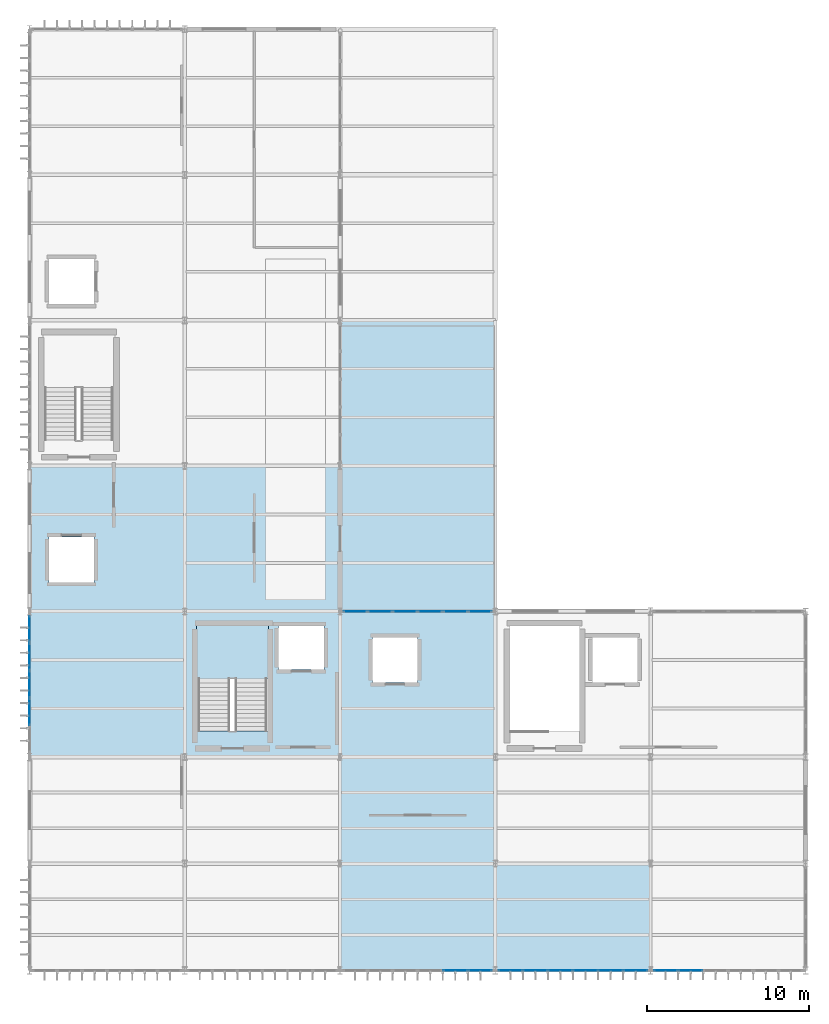
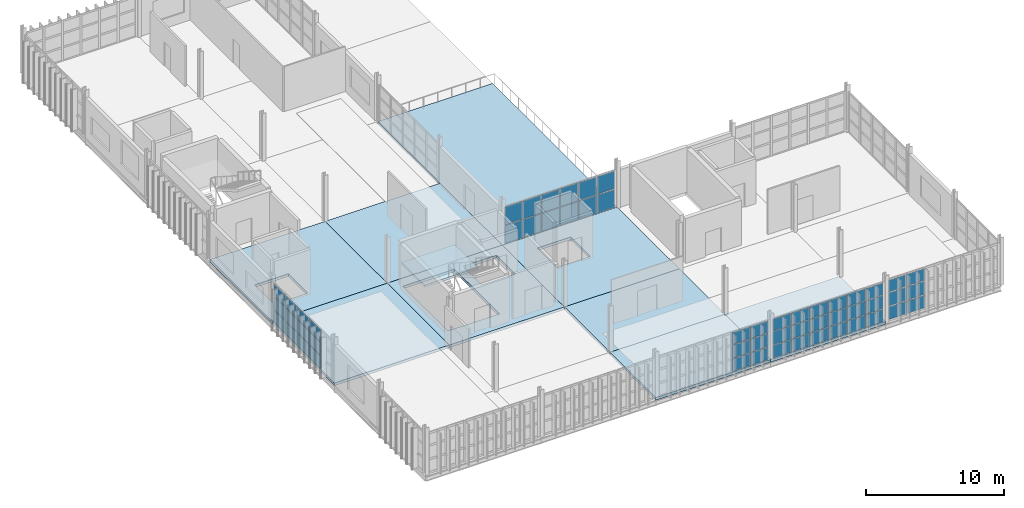
# One storey, part 15 of 38: 54 plates, 10 slabs, 6 elements without a shape of their own.
"""IFC4 building model written with IfcOpenShell, lengths in metres."""

from ifc_helpers import new_model, si_unit, direction, frame, origin, origin_2d, place, context, subcontext, project, spatial, polyline, rectangle, outline, extrude, material, layer, layer_set, type_object, element, aggregate, save


model = new_model("IFC4")

# Units and contexts
model_context = context("Model", 3, precision=1e-05, world=origin(), true_north=direction((0.0, 1.0)))
body_context = subcontext(model_context, "Body", "Model", "MODEL_VIEW")
ifc_project = project(units=[si_unit("LENGTHUNIT", "METRE"), si_unit("AREAUNIT", "SQUARE_METRE"), si_unit("VOLUMEUNIT", "CUBIC_METRE"), si_unit("PLANEANGLEUNIT", "RADIAN"), si_unit("MASSUNIT", "GRAM", prefix="KILO")], contexts=[model_context])

# Site, building, storey
site_placement = place(None, origin())
site = spatial("IfcSite", under=ifc_project, at=site_placement, CompositionType="ELEMENT")
building_placement = place(site_placement, origin())
building = spatial("IfcBuilding", under=site, at=building_placement, Name="Zarnetskaya Central Station", CompositionType="ELEMENT")
storey_placement = place(building_placement, frame((0.0, 0.0, 18.60009765625)))
storey = spatial("IfcBuildingStorey", under=building, at=storey_placement, Name="L04", CompositionType="ELEMENT", Elevation=18.60009765625)

# Curtain wall, plates
ifc_material_1 = material(Name="Low-E insulated glass", Category="glass")
ifc_layer_1 = layer(ifc_material_1, 0.16796875, Name="Low-E insulated glass", Category="glass")
ifc_layer_set_1 = layer_set([ifc_layer_1], Name="Low-E insulated glass")
curtain_wall_type_1 = type_object("IfcCurtainWallType", Name="CW-SYS-08", PredefinedType="USERDEFINED", material=ifc_layer_set_1)
curtain_wall_1_placement = place(storey_placement, origin())
curtain_wall_1 = element("IfcCurtainWall", 1, at=curtain_wall_1_placement, inside=storey, type_object=curtain_wall_type_1, Name="Curtain wall CW-L04-060", ObjectType="CURTAIN WALL", PredefinedType="USERDEFINED")
ifc_layer_2 = layer(ifc_material_1, 0.028076171875, Name="Low-E insulated glass", Category="glass")
ifc_layer_set_2 = layer_set([ifc_layer_2], Name="Low-E insulated glass")
plate_type_1 = type_object("IfcPlateType", Name="CW-PAN-28", PredefinedType="CURTAIN_PANEL", material=ifc_layer_set_2)
plate_1_placement = place(storey_placement, frame((27.85498046875, 0.0, 0.080078125), z_axis=(0.0, 0.0, 1.0), x_axis=(-1.0, 0.0, 0.0)))
plate_1 = element("IfcPlate", 2, at=plate_1_placement, type_object=plate_type_1, Name="CW-16 panel 1.1", PredefinedType="CURTAIN_PANEL", context=body_context, shape_type="SweptSolid", body=[
    extrude(rectangle(XDim=1.429931640625, YDim=0.028076171875, at=origin_2d()), origin(), (0.0, 0.0, 1.0), 1.090087890625),
])
plate_2_placement = place(storey_placement, frame((27.85498046875, 0.0, 1.25), z_axis=(0.0, 0.0, 1.0), x_axis=(-1.0, 0.0, 0.0)))
plate_2 = element("IfcPlate", 3, at=plate_2_placement, type_object=plate_type_1, Name="CW-16 panel 1.2", PredefinedType="CURTAIN_PANEL", context=body_context, shape_type="SweptSolid", body=[
    extrude(rectangle(XDim=1.429931640625, YDim=0.028076171875, at=origin_2d()), origin(), (0.0, 0.0, 1.0), 1.131103515625),
])
plate_3_placement = place(storey_placement, frame((27.85498046875, 0.0, 2.4609375), z_axis=(0.0, 0.0, 1.0), x_axis=(-1.0, 0.0, 0.0)))
plate_3 = element("IfcPlate", 4, at=plate_3_placement, type_object=plate_type_1, Name="CW-16 panel 1.3", PredefinedType="CURTAIN_PANEL", context=body_context, shape_type="SweptSolid", body=[
    extrude(rectangle(XDim=1.429931640625, YDim=0.028076171875, at=origin_2d()), origin(), (0.0, 0.0, 1.0), 1.01904296875),
])
plate_4_placement = place(storey_placement, frame((26.324951171875, 0.0, 0.080078125), z_axis=(0.0, 0.0, 1.0), x_axis=(-1.0, 0.0, 0.0)))
plate_4 = element("IfcPlate", 5, at=plate_4_placement, type_object=plate_type_1, Name="CW-16 panel 2.1", PredefinedType="CURTAIN_PANEL", context=body_context, shape_type="SweptSolid", body=[
    extrude(rectangle(XDim=1.469970703125, YDim=0.028076171875, at=origin_2d()), origin(), (0.0, 0.0, 1.0), 1.090087890625),
])
plate_5_placement = place(storey_placement, frame((26.324951171875, 0.0, 1.25), z_axis=(0.0, 0.0, 1.0), x_axis=(-1.0, 0.0, 0.0)))
plate_5 = element("IfcPlate", 6, at=plate_5_placement, type_object=plate_type_1, Name="CW-16 panel 2.2", PredefinedType="CURTAIN_PANEL", context=body_context, shape_type="SweptSolid", body=[
    extrude(rectangle(XDim=1.469970703125, YDim=0.028076171875, at=origin_2d()), origin(), (0.0, 0.0, 1.0), 1.131103515625),
])
plate_6_placement = place(storey_placement, frame((26.324951171875, 0.0, 2.4609375), z_axis=(0.0, 0.0, 1.0), x_axis=(-1.0, 0.0, 0.0)))
plate_6 = element("IfcPlate", 7, at=plate_6_placement, type_object=plate_type_1, Name="CW-16 panel 2.3", PredefinedType="CURTAIN_PANEL", context=body_context, shape_type="SweptSolid", body=[
    extrude(rectangle(XDim=1.469970703125, YDim=0.028076171875, at=origin_2d()), origin(), (0.0, 0.0, 1.0), 1.01904296875),
])
aggregate(curtain_wall_1, [plate_1, plate_2, plate_3, plate_4, plate_5, plate_6])

curtain_wall_2_placement = place(storey_placement, origin())
curtain_wall_2 = element("IfcCurtainWall", 8, at=curtain_wall_2_placement, inside=storey, type_object=curtain_wall_type_1, Name="Curtain wall CW-L04-048", ObjectType="CURTAIN WALL", PredefinedType="USERDEFINED")
ifc_layer_3 = layer(ifc_material_1, 0.0400390625, Name="Low-E insulated glass", Category="glass")
ifc_layer_set_3 = layer_set([ifc_layer_3], Name="Low-E insulated glass")
plate_type_2 = type_object("IfcPlateType", Name="CW-PAN-40", PredefinedType="CURTAIN_PANEL", material=ifc_layer_set_3)
plate_7_placement = place(storey_placement, frame((0.0, 15.989990234375, 0.080078125), z_axis=(0.0, 0.0, 1.0), x_axis=(0.0, 1.0, 0.0)))
plate_7 = element("IfcPlate", 9, at=plate_7_placement, type_object=plate_type_2, Name="CW-16 panel 2.1", PredefinedType="CURTAIN_PANEL", context=body_context, shape_type="SweptSolid", body=[
    extrude(rectangle(XDim=1.6298828125, YDim=0.0400390625, at=origin_2d()), origin(), (0.0, 0.0, 1.0), 1.090087890625),
])
plate_8_placement = place(storey_placement, frame((0.0, 15.989990234375, 1.25), z_axis=(0.0, 0.0, 1.0), x_axis=(0.0, 1.0, 0.0)))
plate_8 = element("IfcPlate", 10, at=plate_8_placement, type_object=plate_type_2, Name="CW-16 panel 2.2", PredefinedType="CURTAIN_PANEL", context=body_context, shape_type="SweptSolid", body=[
    extrude(rectangle(XDim=1.6298828125, YDim=0.0400390625, at=origin_2d()), origin(), (0.0, 0.0, 1.0), 1.131103515625),
])
plate_9_placement = place(storey_placement, frame((0.0, 15.989990234375, 2.4609375), z_axis=(0.0, 0.0, 1.0), x_axis=(0.0, 1.0, 0.0)))
plate_9 = element("IfcPlate", 11, at=plate_9_placement, type_object=plate_type_2, Name="CW-16 panel 2.3", PredefinedType="CURTAIN_PANEL", context=body_context, shape_type="SweptSolid", body=[
    extrude(rectangle(XDim=1.6298828125, YDim=0.0400390625, at=origin_2d()), origin(), (0.0, 0.0, 1.0), 1.01904296875),
])
plate_10_placement = place(storey_placement, frame((0.0, 17.699951171875, 0.080078125), z_axis=(0.0, 0.0, 1.0), x_axis=(0.0, 1.0, 0.0)))
plate_10 = element("IfcPlate", 12, at=plate_10_placement, type_object=plate_type_2, Name="CW-16 panel 3.1", PredefinedType="CURTAIN_PANEL", context=body_context, shape_type="SweptSolid", body=[
    extrude(rectangle(XDim=1.6298828125, YDim=0.0400390625, at=origin_2d()), origin(), (0.0, 0.0, 1.0), 1.090087890625),
])
plate_11_placement = place(storey_placement, frame((0.0, 17.699951171875, 1.25), z_axis=(0.0, 0.0, 1.0), x_axis=(0.0, 1.0, 0.0)))
plate_11 = element("IfcPlate", 13, at=plate_11_placement, type_object=plate_type_2, Name="CW-16 panel 3.2", PredefinedType="CURTAIN_PANEL", context=body_context, shape_type="SweptSolid", body=[
    extrude(rectangle(XDim=1.6298828125, YDim=0.0400390625, at=origin_2d()), origin(), (0.0, 0.0, 1.0), 1.131103515625),
])
plate_12_placement = place(storey_placement, frame((0.0, 17.699951171875, 2.4609375), z_axis=(0.0, 0.0, 1.0), x_axis=(0.0, 1.0, 0.0)))
plate_12 = element("IfcPlate", 14, at=plate_12_placement, type_object=plate_type_2, Name="CW-16 panel 3.3", PredefinedType="CURTAIN_PANEL", context=body_context, shape_type="SweptSolid", body=[
    extrude(rectangle(XDim=1.6298828125, YDim=0.0400390625, at=origin_2d()), origin(), (0.0, 0.0, 1.0), 1.01904296875),
])
plate_13_placement = place(storey_placement, frame((0.0, 19.409912109375, 0.080078125), z_axis=(0.0, 0.0, 1.0), x_axis=(0.0, 1.0, 0.0)))
plate_13 = element("IfcPlate", 15, at=plate_13_placement, type_object=plate_type_2, Name="CW-16 panel 4.1", PredefinedType="CURTAIN_PANEL", context=body_context, shape_type="SweptSolid", body=[
    extrude(rectangle(XDim=1.6298828125, YDim=0.0400390625, at=origin_2d()), origin(), (0.0, 0.0, 1.0), 1.090087890625),
])
plate_14_placement = place(storey_placement, frame((0.0, 19.409912109375, 1.25), z_axis=(0.0, 0.0, 1.0), x_axis=(0.0, 1.0, 0.0)))
plate_14 = element("IfcPlate", 16, at=plate_14_placement, type_object=plate_type_2, Name="CW-16 panel 4.2", PredefinedType="CURTAIN_PANEL", context=body_context, shape_type="SweptSolid", body=[
    extrude(rectangle(XDim=1.6298828125, YDim=0.0400390625, at=origin_2d()), origin(), (0.0, 0.0, 1.0), 1.131103515625),
])
plate_15_placement = place(storey_placement, frame((0.0, 19.409912109375, 2.4609375), z_axis=(0.0, 0.0, 1.0), x_axis=(0.0, 1.0, 0.0)))
plate_15 = element("IfcPlate", 17, at=plate_15_placement, type_object=plate_type_2, Name="CW-16 panel 4.3", PredefinedType="CURTAIN_PANEL", context=body_context, shape_type="SweptSolid", body=[
    extrude(rectangle(XDim=1.6298828125, YDim=0.0400390625, at=origin_2d()), origin(), (0.0, 0.0, 1.0), 1.01904296875),
])
plate_16_placement = place(storey_placement, frame((0.0, 21.10009765625, 0.080078125), z_axis=(0.0, 0.0, 1.0), x_axis=(0.0, 1.0, 0.0)))
plate_16 = element("IfcPlate", 18, at=plate_16_placement, type_object=plate_type_2, Name="CW-16 panel 5.1", PredefinedType="CURTAIN_PANEL", context=body_context, shape_type="SweptSolid", body=[
    extrude(rectangle(XDim=1.590087890625, YDim=0.0400390625, at=origin_2d()), origin(), (0.0, 0.0, 1.0), 1.090087890625),
])
plate_17_placement = place(storey_placement, frame((0.0, 21.10009765625, 1.25), z_axis=(0.0, 0.0, 1.0), x_axis=(0.0, 1.0, 0.0)))
plate_17 = element("IfcPlate", 19, at=plate_17_placement, type_object=plate_type_2, Name="CW-16 panel 5.2", PredefinedType="CURTAIN_PANEL", context=body_context, shape_type="SweptSolid", body=[
    extrude(rectangle(XDim=1.590087890625, YDim=0.0400390625, at=origin_2d()), origin(), (0.0, 0.0, 1.0), 1.131103515625),
])
plate_18_placement = place(storey_placement, frame((0.0, 21.10009765625, 2.4609375), z_axis=(0.0, 0.0, 1.0), x_axis=(0.0, 1.0, 0.0)))
plate_18 = element("IfcPlate", 20, at=plate_18_placement, type_object=plate_type_2, Name="CW-16 panel 5.3", PredefinedType="CURTAIN_PANEL", context=body_context, shape_type="SweptSolid", body=[
    extrude(rectangle(XDim=1.590087890625, YDim=0.0400390625, at=origin_2d()), origin(), (0.0, 0.0, 1.0), 1.01904296875),
])
aggregate(curtain_wall_2, [plate_7, plate_8, plate_9, plate_10, plate_11, plate_12, plate_13, plate_14, plate_15, plate_16, plate_17, plate_18])

ifc_layer_4 = layer(ifc_material_1, 0.159912109375, Name="Low-E insulated glass", Category="glass")
ifc_layer_set_4 = layer_set([ifc_layer_4], Name="Low-E insulated glass")
curtain_wall_type_2 = type_object("IfcCurtainWallType", Name="CW-SYS-06", PredefinedType="USERDEFINED", material=ifc_layer_set_4)
curtain_wall_3_placement = place(storey_placement, origin())
curtain_wall_3 = element("IfcCurtainWall", 21, at=curtain_wall_3_placement, inside=storey, type_object=curtain_wall_type_2, Name="Curtain wall CW-L04-058", ObjectType="CURTAIN WALL", PredefinedType="USERDEFINED")
plate_19_placement = place(storey_placement, frame((40.875, 0.0, 0.080078125), z_axis=(0.0, 0.0, 1.0), x_axis=(-1.0, 0.0, 0.0)))
plate_19 = element("IfcPlate", 22, at=plate_19_placement, type_object=plate_type_2, Name="CW-02 panel 5.1", PredefinedType="CURTAIN_PANEL", context=body_context, shape_type="SweptSolid", body=[
    extrude(rectangle(XDim=1.469970703125, YDim=0.0400390625, at=origin_2d()), origin(), (0.0, 0.0, 1.0), 1.117919921875),
])
plate_20_placement = place(storey_placement, frame((40.875, 0.0, 1.27783203125), z_axis=(0.0, 0.0, 1.0), x_axis=(-1.0, 0.0, 0.0)))
plate_20 = element("IfcPlate", 23, at=plate_20_placement, type_object=plate_type_2, Name="CW-02 panel 5.2", PredefinedType="CURTAIN_PANEL", context=body_context, shape_type="SweptSolid", body=[
    extrude(rectangle(XDim=1.469970703125, YDim=0.0400390625, at=origin_2d()), origin(), (0.0, 0.0, 1.0), 1.156982421875),
])
plate_21_placement = place(storey_placement, frame((40.875, 0.0, 2.514892578125), z_axis=(0.0, 0.0, 1.0), x_axis=(-1.0, 0.0, 0.0)))
plate_21 = element("IfcPlate", 24, at=plate_21_placement, type_object=plate_type_2, Name="CW-02 panel 5.3", PredefinedType="CURTAIN_PANEL", context=body_context, shape_type="SweptSolid", body=[
    extrude(rectangle(XDim=1.469970703125, YDim=0.0400390625, at=origin_2d()), origin(), (0.0, 0.0, 1.0), 1.044921875),
])
plate_22_placement = place(storey_placement, frame((39.344970703125, 0.0, 0.080078125), z_axis=(0.0, 0.0, 1.0), x_axis=(-1.0, 0.0, 0.0)))
plate_22 = element("IfcPlate", 25, at=plate_22_placement, type_object=plate_type_2, Name="CW-02 panel 6.1", PredefinedType="CURTAIN_PANEL", context=body_context, shape_type="SweptSolid", body=[
    extrude(rectangle(XDim=1.429931640625, YDim=0.0400390625, at=origin_2d()), origin(), (0.0, 0.0, 1.0), 1.117919921875),
])
plate_23_placement = place(storey_placement, frame((39.344970703125, 0.0, 1.27783203125), z_axis=(0.0, 0.0, 1.0), x_axis=(-1.0, 0.0, 0.0)))
plate_23 = element("IfcPlate", 26, at=plate_23_placement, type_object=plate_type_2, Name="CW-02 panel 6.2", PredefinedType="CURTAIN_PANEL", context=body_context, shape_type="SweptSolid", body=[
    extrude(rectangle(XDim=1.429931640625, YDim=0.0400390625, at=origin_2d()), origin(), (0.0, 0.0, 1.0), 1.156982421875),
])
plate_24_placement = place(storey_placement, frame((39.344970703125, 0.0, 2.514892578125), z_axis=(0.0, 0.0, 1.0), x_axis=(-1.0, 0.0, 0.0)))
plate_24 = element("IfcPlate", 27, at=plate_24_placement, type_object=plate_type_2, Name="CW-02 panel 6.3", PredefinedType="CURTAIN_PANEL", context=body_context, shape_type="SweptSolid", body=[
    extrude(rectangle(XDim=1.429931640625, YDim=0.0400390625, at=origin_2d()), origin(), (0.0, 0.0, 1.0), 1.044921875),
])
aggregate(curtain_wall_3, [plate_19, plate_20, plate_21, plate_22, plate_23, plate_24])

curtain_wall_4_placement = place(storey_placement, origin())
curtain_wall_4 = element("IfcCurtainWall", 28, at=curtain_wall_4_placement, inside=storey, type_object=curtain_wall_type_2, Name="Curtain wall CW-L04-054", ObjectType="CURTAIN WALL", PredefinedType="USERDEFINED")
ifc_layer_5 = layer(ifc_material_1, 0.0439453125, Name="Low-E insulated glass", Category="glass")
ifc_layer_set_5 = layer_set([ifc_layer_5], Name="Low-E insulated glass")
plate_type_3 = type_object("IfcPlateType", Name="CW-PAN-44", PredefinedType="CURTAIN_PANEL", material=ifc_layer_set_5)
plate_25_placement = place(storey_placement, frame((20.14501953125, 22.199951171875, 0.079833984375), z_axis=(0.0, 0.0, 1.0), x_axis=(1.0, 0.0, 0.0)))
plate_25 = element("IfcPlate", 29, at=plate_25_placement, type_object=plate_type_3, Name="CW-02 panel 1.1", PredefinedType="CURTAIN_PANEL", context=body_context, shape_type="SweptSolid", body=[
    extrude(rectangle(XDim=1.429931640625, YDim=0.0439453125, at=origin_2d()), origin(), (0.0, 0.0, 1.0), 1.56005859375),
])
plate_26_placement = place(storey_placement, frame((20.14501953125, 22.199951171875, 1.719970703125), z_axis=(0.0, 0.0, 1.0), x_axis=(1.0, 0.0, 0.0)))
plate_26 = element("IfcPlate", 30, at=plate_26_placement, type_object=plate_type_3, Name="CW-02 panel 1.2", PredefinedType="CURTAIN_PANEL", context=body_context, shape_type="SweptSolid", body=[
    extrude(rectangle(XDim=1.429931640625, YDim=0.0439453125, at=origin_2d()), origin(), (0.0, 0.0, 1.0), 1.56005859375),
])
plate_27_placement = place(storey_placement, frame((21.675048828125, 22.199951171875, 0.079833984375), z_axis=(0.0, 0.0, 1.0), x_axis=(1.0, 0.0, 0.0)))
plate_27 = element("IfcPlate", 31, at=plate_27_placement, type_object=plate_type_3, Name="CW-02 panel 2.1", PredefinedType="CURTAIN_PANEL", context=body_context, shape_type="SweptSolid", body=[
    extrude(rectangle(XDim=1.469970703125, YDim=0.0439453125, at=origin_2d()), origin(), (0.0, 0.0, 1.0), 1.56005859375),
])
plate_28_placement = place(storey_placement, frame((21.675048828125, 22.199951171875, 1.719970703125), z_axis=(0.0, 0.0, 1.0), x_axis=(1.0, 0.0, 0.0)))
plate_28 = element("IfcPlate", 32, at=plate_28_placement, type_object=plate_type_3, Name="CW-02 panel 2.2", PredefinedType="CURTAIN_PANEL", context=body_context, shape_type="SweptSolid", body=[
    extrude(rectangle(XDim=1.469970703125, YDim=0.0439453125, at=origin_2d()), origin(), (0.0, 0.0, 1.0), 1.56005859375),
])
plate_29_placement = place(storey_placement, frame((23.22509765625, 22.199951171875, 0.079833984375), z_axis=(0.0, 0.0, 1.0), x_axis=(1.0, 0.0, 0.0)))
plate_29 = element("IfcPlate", 33, at=plate_29_placement, type_object=plate_type_3, Name="CW-02 panel 3.1", PredefinedType="CURTAIN_PANEL", context=body_context, shape_type="SweptSolid", body=[
    extrude(rectangle(XDim=1.469970703125, YDim=0.0439453125, at=origin_2d()), origin(), (0.0, 0.0, 1.0), 1.56005859375),
])
plate_30_placement = place(storey_placement, frame((23.22509765625, 22.199951171875, 1.719970703125), z_axis=(0.0, 0.0, 1.0), x_axis=(1.0, 0.0, 0.0)))
plate_30 = element("IfcPlate", 34, at=plate_30_placement, type_object=plate_type_3, Name="CW-02 panel 3.2", PredefinedType="CURTAIN_PANEL", context=body_context, shape_type="SweptSolid", body=[
    extrude(rectangle(XDim=1.469970703125, YDim=0.0439453125, at=origin_2d()), origin(), (0.0, 0.0, 1.0), 1.56005859375),
])
plate_31_placement = place(storey_placement, frame((24.77490234375, 22.199951171875, 0.079833984375), z_axis=(0.0, 0.0, 1.0), x_axis=(1.0, 0.0, 0.0)))
plate_31 = element("IfcPlate", 35, at=plate_31_placement, type_object=plate_type_3, Name="CW-02 panel 4.1", PredefinedType="CURTAIN_PANEL", context=body_context, shape_type="SweptSolid", body=[
    extrude(rectangle(XDim=1.469970703125, YDim=0.0439453125, at=origin_2d()), origin(), (0.0, 0.0, 1.0), 1.56005859375),
])
plate_32_placement = place(storey_placement, frame((24.77490234375, 22.199951171875, 1.719970703125), z_axis=(0.0, 0.0, 1.0), x_axis=(1.0, 0.0, 0.0)))
plate_32 = element("IfcPlate", 36, at=plate_32_placement, type_object=plate_type_3, Name="CW-02 panel 4.2", PredefinedType="CURTAIN_PANEL", context=body_context, shape_type="SweptSolid", body=[
    extrude(rectangle(XDim=1.469970703125, YDim=0.0439453125, at=origin_2d()), origin(), (0.0, 0.0, 1.0), 1.56005859375),
])
plate_33_placement = place(storey_placement, frame((26.324951171875, 22.199951171875, 0.079833984375), z_axis=(0.0, 0.0, 1.0), x_axis=(1.0, 0.0, 0.0)))
plate_33 = element("IfcPlate", 37, at=plate_33_placement, type_object=plate_type_3, Name="CW-02 panel 5.1", PredefinedType="CURTAIN_PANEL", context=body_context, shape_type="SweptSolid", body=[
    extrude(rectangle(XDim=1.469970703125, YDim=0.0439453125, at=origin_2d()), origin(), (0.0, 0.0, 1.0), 1.56005859375),
])
plate_34_placement = place(storey_placement, frame((26.324951171875, 22.199951171875, 1.719970703125), z_axis=(0.0, 0.0, 1.0), x_axis=(1.0, 0.0, 0.0)))
plate_34 = element("IfcPlate", 38, at=plate_34_placement, type_object=plate_type_3, Name="CW-02 panel 5.2", PredefinedType="CURTAIN_PANEL", context=body_context, shape_type="SweptSolid", body=[
    extrude(rectangle(XDim=1.469970703125, YDim=0.0439453125, at=origin_2d()), origin(), (0.0, 0.0, 1.0), 1.56005859375),
])
plate_35_placement = place(storey_placement, frame((27.85498046875, 22.199951171875, 0.079833984375), z_axis=(0.0, 0.0, 1.0), x_axis=(1.0, 0.0, 0.0)))
plate_35 = element("IfcPlate", 39, at=plate_35_placement, type_object=plate_type_3, Name="CW-02 panel 6.1", PredefinedType="CURTAIN_PANEL", context=body_context, shape_type="SweptSolid", body=[
    extrude(rectangle(XDim=1.429931640625, YDim=0.0439453125, at=origin_2d()), origin(), (0.0, 0.0, 1.0), 1.56005859375),
])
plate_36_placement = place(storey_placement, frame((27.85498046875, 22.199951171875, 1.719970703125), z_axis=(0.0, 0.0, 1.0), x_axis=(1.0, 0.0, 0.0)))
plate_36 = element("IfcPlate", 40, at=plate_36_placement, type_object=plate_type_3, Name="CW-02 panel 6.2", PredefinedType="CURTAIN_PANEL", context=body_context, shape_type="SweptSolid", body=[
    extrude(rectangle(XDim=1.429931640625, YDim=0.0439453125, at=origin_2d()), origin(), (0.0, 0.0, 1.0), 1.56005859375),
])
aggregate(curtain_wall_4, [plate_25, plate_26, plate_27, plate_28, plate_29, plate_30, plate_31, plate_32, plate_33, plate_34, plate_35, plate_36])

ifc_layer_6 = layer(ifc_material_1, 0.1640625, Name="Low-E insulated glass", Category="glass")
ifc_layer_set_6 = layer_set([ifc_layer_6], Name="Low-E insulated glass")
curtain_wall_type_3 = type_object("IfcCurtainWallType", Name="CW-SYS-07", PredefinedType="USERDEFINED", material=ifc_layer_set_6)
curtain_wall_5_placement = place(storey_placement, origin())
curtain_wall_5 = element("IfcCurtainWall", 41, at=curtain_wall_5_placement, inside=storey, type_object=curtain_wall_type_3, Name="Curtain wall CW-L04-059", ObjectType="CURTAIN WALL", PredefinedType="USERDEFINED")
plate_37_placement = place(storey_placement, frame((37.45751953125, 0.0, 0.06982421875), z_axis=(0.0, 0.0, 1.0), x_axis=(-1.0, 0.0, 0.0)))
plate_37 = element("IfcPlate", 42, at=plate_37_placement, type_object=plate_type_3, Name="CW-06 panel 1.1", PredefinedType="CURTAIN_PANEL", context=body_context, shape_type="SweptSolid", body=[
    extrude(rectangle(XDim=1.445068359375, YDim=0.0439453125, at=origin_2d()), origin(), (0.0, 0.0, 1.0), 1.10498046875),
])
plate_38_placement = place(storey_placement, frame((37.45751953125, 0.0, 1.244873046875), z_axis=(0.0, 0.0, 1.0), x_axis=(-1.0, 0.0, 0.0)))
plate_38 = element("IfcPlate", 43, at=plate_38_placement, type_object=plate_type_3, Name="CW-06 panel 1.2", PredefinedType="CURTAIN_PANEL", context=body_context, shape_type="SweptSolid", body=[
    extrude(rectangle(XDim=1.445068359375, YDim=0.0439453125, at=origin_2d()), origin(), (0.0, 0.0, 1.0), 1.14111328125),
])
plate_39_placement = place(storey_placement, frame((37.45751953125, 0.0, 2.4560546875), z_axis=(0.0, 0.0, 1.0), x_axis=(-1.0, 0.0, 0.0)))
plate_39 = element("IfcPlate", 44, at=plate_39_placement, type_object=plate_type_3, Name="CW-06 panel 1.3", PredefinedType="CURTAIN_PANEL", context=body_context, shape_type="SweptSolid", body=[
    extrude(rectangle(XDim=1.445068359375, YDim=0.0439453125, at=origin_2d()), origin(), (0.0, 0.0, 1.0), 1.033935546875),
])
plate_40_placement = place(storey_placement, frame((35.925048828125, 0.0, 0.06982421875), z_axis=(0.0, 0.0, 1.0), x_axis=(-1.0, 0.0, 0.0)))
plate_40 = element("IfcPlate", 45, at=plate_40_placement, type_object=plate_type_3, Name="CW-06 panel 2.1", PredefinedType="CURTAIN_PANEL", context=body_context, shape_type="SweptSolid", body=[
    extrude(rectangle(XDim=1.47998046875, YDim=0.0439453125, at=origin_2d()), origin(), (0.0, 0.0, 1.0), 1.10498046875),
])
plate_41_placement = place(storey_placement, frame((35.925048828125, 0.0, 1.244873046875), z_axis=(0.0, 0.0, 1.0), x_axis=(-1.0, 0.0, 0.0)))
plate_41 = element("IfcPlate", 46, at=plate_41_placement, type_object=plate_type_3, Name="CW-06 panel 2.2", PredefinedType="CURTAIN_PANEL", context=body_context, shape_type="SweptSolid", body=[
    extrude(rectangle(XDim=1.47998046875, YDim=0.0439453125, at=origin_2d()), origin(), (0.0, 0.0, 1.0), 1.14111328125),
])
plate_42_placement = place(storey_placement, frame((35.925048828125, 0.0, 2.4560546875), z_axis=(0.0, 0.0, 1.0), x_axis=(-1.0, 0.0, 0.0)))
plate_42 = element("IfcPlate", 47, at=plate_42_placement, type_object=plate_type_3, Name="CW-06 panel 2.3", PredefinedType="CURTAIN_PANEL", context=body_context, shape_type="SweptSolid", body=[
    extrude(rectangle(XDim=1.47998046875, YDim=0.0439453125, at=origin_2d()), origin(), (0.0, 0.0, 1.0), 1.033935546875),
])
plate_43_placement = place(storey_placement, frame((34.375, 0.0, 0.06982421875), z_axis=(0.0, 0.0, 1.0), x_axis=(-1.0, 0.0, 0.0)))
plate_43 = element("IfcPlate", 48, at=plate_43_placement, type_object=plate_type_3, Name="CW-06 panel 3.1", PredefinedType="CURTAIN_PANEL", context=body_context, shape_type="SweptSolid", body=[
    extrude(rectangle(XDim=1.47998046875, YDim=0.0439453125, at=origin_2d()), origin(), (0.0, 0.0, 1.0), 1.10498046875),
])
plate_44_placement = place(storey_placement, frame((34.375, 0.0, 1.244873046875), z_axis=(0.0, 0.0, 1.0), x_axis=(-1.0, 0.0, 0.0)))
plate_44 = element("IfcPlate", 49, at=plate_44_placement, type_object=plate_type_3, Name="CW-06 panel 3.2", PredefinedType="CURTAIN_PANEL", context=body_context, shape_type="SweptSolid", body=[
    extrude(rectangle(XDim=1.47998046875, YDim=0.0439453125, at=origin_2d()), origin(), (0.0, 0.0, 1.0), 1.14111328125),
])
plate_45_placement = place(storey_placement, frame((34.375, 0.0, 2.4560546875), z_axis=(0.0, 0.0, 1.0), x_axis=(-1.0, 0.0, 0.0)))
plate_45 = element("IfcPlate", 50, at=plate_45_placement, type_object=plate_type_3, Name="CW-06 panel 3.3", PredefinedType="CURTAIN_PANEL", context=body_context, shape_type="SweptSolid", body=[
    extrude(rectangle(XDim=1.47998046875, YDim=0.0439453125, at=origin_2d()), origin(), (0.0, 0.0, 1.0), 1.033935546875),
])
plate_46_placement = place(storey_placement, frame((32.824951171875, 0.0, 0.06982421875), z_axis=(0.0, 0.0, 1.0), x_axis=(-1.0, 0.0, 0.0)))
plate_46 = element("IfcPlate", 51, at=plate_46_placement, type_object=plate_type_3, Name="CW-06 panel 4.1", PredefinedType="CURTAIN_PANEL", context=body_context, shape_type="SweptSolid", body=[
    extrude(rectangle(XDim=1.47998046875, YDim=0.0439453125, at=origin_2d()), origin(), (0.0, 0.0, 1.0), 1.10498046875),
])
plate_47_placement = place(storey_placement, frame((32.824951171875, 0.0, 1.244873046875), z_axis=(0.0, 0.0, 1.0), x_axis=(-1.0, 0.0, 0.0)))
plate_47 = element("IfcPlate", 52, at=plate_47_placement, type_object=plate_type_3, Name="CW-06 panel 4.2", PredefinedType="CURTAIN_PANEL", context=body_context, shape_type="SweptSolid", body=[
    extrude(rectangle(XDim=1.47998046875, YDim=0.0439453125, at=origin_2d()), origin(), (0.0, 0.0, 1.0), 1.14111328125),
])
plate_48_placement = place(storey_placement, frame((32.824951171875, 0.0, 2.4560546875), z_axis=(0.0, 0.0, 1.0), x_axis=(-1.0, 0.0, 0.0)))
plate_48 = element("IfcPlate", 53, at=plate_48_placement, type_object=plate_type_3, Name="CW-06 panel 4.3", PredefinedType="CURTAIN_PANEL", context=body_context, shape_type="SweptSolid", body=[
    extrude(rectangle(XDim=1.47998046875, YDim=0.0439453125, at=origin_2d()), origin(), (0.0, 0.0, 1.0), 1.033935546875),
])
plate_49_placement = place(storey_placement, frame((31.27490234375, 0.0, 0.06982421875), z_axis=(0.0, 0.0, 1.0), x_axis=(-1.0, 0.0, 0.0)))
plate_49 = element("IfcPlate", 54, at=plate_49_placement, type_object=plate_type_3, Name="CW-06 panel 5.1", PredefinedType="CURTAIN_PANEL", context=body_context, shape_type="SweptSolid", body=[
    extrude(rectangle(XDim=1.47998046875, YDim=0.0439453125, at=origin_2d()), origin(), (0.0, 0.0, 1.0), 1.10498046875),
])
plate_50_placement = place(storey_placement, frame((31.27490234375, 0.0, 1.244873046875), z_axis=(0.0, 0.0, 1.0), x_axis=(-1.0, 0.0, 0.0)))
plate_50 = element("IfcPlate", 55, at=plate_50_placement, type_object=plate_type_3, Name="CW-06 panel 5.2", PredefinedType="CURTAIN_PANEL", context=body_context, shape_type="SweptSolid", body=[
    extrude(rectangle(XDim=1.47998046875, YDim=0.0439453125, at=origin_2d()), origin(), (0.0, 0.0, 1.0), 1.14111328125),
])
plate_51_placement = place(storey_placement, frame((31.27490234375, 0.0, 2.4560546875), z_axis=(0.0, 0.0, 1.0), x_axis=(-1.0, 0.0, 0.0)))
plate_51 = element("IfcPlate", 56, at=plate_51_placement, type_object=plate_type_3, Name="CW-06 panel 5.3", PredefinedType="CURTAIN_PANEL", context=body_context, shape_type="SweptSolid", body=[
    extrude(rectangle(XDim=1.47998046875, YDim=0.0439453125, at=origin_2d()), origin(), (0.0, 0.0, 1.0), 1.033935546875),
])
plate_52_placement = place(storey_placement, frame((29.742431640625, 0.0, 0.06982421875), z_axis=(0.0, 0.0, 1.0), x_axis=(-1.0, 0.0, 0.0)))
plate_52 = element("IfcPlate", 57, at=plate_52_placement, type_object=plate_type_3, Name="CW-06 panel 6.1", PredefinedType="CURTAIN_PANEL", context=body_context, shape_type="SweptSolid", body=[
    extrude(rectangle(XDim=1.445068359375, YDim=0.0439453125, at=origin_2d()), origin(), (0.0, 0.0, 1.0), 1.10498046875),
])
plate_53_placement = place(storey_placement, frame((29.742431640625, 0.0, 1.244873046875), z_axis=(0.0, 0.0, 1.0), x_axis=(-1.0, 0.0, 0.0)))
plate_53 = element("IfcPlate", 58, at=plate_53_placement, type_object=plate_type_3, Name="CW-06 panel 6.2", PredefinedType="CURTAIN_PANEL", context=body_context, shape_type="SweptSolid", body=[
    extrude(rectangle(XDim=1.445068359375, YDim=0.0439453125, at=origin_2d()), origin(), (0.0, 0.0, 1.0), 1.14111328125),
])
plate_54_placement = place(storey_placement, frame((29.742431640625, 0.0, 2.4560546875), z_axis=(0.0, 0.0, 1.0), x_axis=(-1.0, 0.0, 0.0)))
plate_54 = element("IfcPlate", 59, at=plate_54_placement, type_object=plate_type_3, Name="CW-06 panel 6.3", PredefinedType="CURTAIN_PANEL", context=body_context, shape_type="SweptSolid", body=[
    extrude(rectangle(XDim=1.445068359375, YDim=0.0439453125, at=origin_2d()), origin(), (0.0, 0.0, 1.0), 1.033935546875),
])
aggregate(curtain_wall_5, [plate_37, plate_38, plate_39, plate_40, plate_41, plate_42, plate_43, plate_44, plate_45, plate_46, plate_47, plate_48, plate_49, plate_50, plate_51, plate_52, plate_53, plate_54])

# Stair, slab
ifc_material_2 = material(Name="Concrete C30/37", Category="concrete")
stair_type = type_object("IfcStairType", Name="STAIR-ASSY-01", PredefinedType="HALF_TURN_STAIR", material=ifc_material_2)
stair_placement = place(storey_placement, origin())
stair = element("IfcStair", 60, at=stair_placement, inside=storey, type_object=stair_type, Name="Exit Stair ST-C1 L04", PredefinedType="HALF_TURN_STAIR")
ifc_layer_7 = layer(ifc_material_2, 0.18505859375, Name="Concrete C30/37", Category="concrete")
ifc_layer_set_7 = layer_set([ifc_layer_7], Name="Concrete C30/37")
slab_type_1 = type_object("IfcSlabType", Name="SLAB-STAIR-LND", PredefinedType="LANDING", material=ifc_layer_set_7)
slab_1_placement = place(storey_placement, frame((0.0, 0.0, 1.914794921875)))
slab_1 = element("IfcSlab", 61, at=slab_1_placement, type_object=slab_type_1, Name="ST-03 landing 1", PredefinedType="LANDING", context=body_context, shape_type="SweptSolid", body=[
    extrude(outline(polyline([(10.320068359375, 18.034912109375), (14.780029296875, 18.034912109375), (14.780029296875, 21.3798828125), (10.320068359375, 21.3798828125), (10.320068359375, 18.034912109375)])), origin(), (0.0, 0.0, 1.0), 0.18505859375),
])
aggregate(stair, [slab_1])

# Slabs
ifc_layer_8 = layer(ifc_material_2, 0.219970703125, Name="Concrete C30/37", Category="concrete")
ifc_layer_set_8 = layer_set([ifc_layer_8], Name="Concrete C30/37")
slab_type_2 = type_object("IfcSlabType", Name="SLAB-TER-220", PredefinedType="FLOOR", material=ifc_layer_set_8)
slab_2_placement = place(storey_placement, frame((0.0, 0.0, -0.22021484375)))
element("IfcSlab", 62, at=slab_2_placement, inside=storey, type_object=slab_type_2, Name="Operations L04 courtyard terrace slab", PredefinedType="FLOOR", context=body_context, shape_type="SweptSolid", body=[
    extrude(outline(polyline([(19.199951171875, 22.199951171875), (28.800048828125, 22.199951171875), (28.800048828125, 40.199951171875), (19.199951171875, 40.199951171875), (19.199951171875, 22.199951171875)])), origin(), (0.0, 0.0, 1.0), 0.22021484375),
])
ifc_layer_9 = layer(ifc_material_2, 0.239990234375, Name="Concrete C30/37", Category="concrete")
ifc_layer_set_9 = layer_set([ifc_layer_9], Name="Concrete C30/37")
slab_type_3 = type_object("IfcSlabType", Name="SLAB-UPP-240", PredefinedType="FLOOR", material=ifc_layer_set_9)
slab_3_placement = place(storey_placement, frame((0.0, 0.0, -0.239990234375)))
element("IfcSlab", 63, at=slab_3_placement, inside=storey, type_object=slab_type_3, Name="L04 slab A-B/3-4", PredefinedType="FLOOR", context=body_context, shape_type="SweptSolid", body=[
    extrude(outline(polyline([(0.0, 13.199951171875), (9.60009765625, 13.199951171875), (9.60009765625, 22.199951171875), (0.0, 22.199951171875), (0.0, 13.199951171875)])), origin(), (0.0, 0.0, 1.0), 0.239990234375),
])
slab_4_placement = place(storey_placement, frame((0.0, 0.0, -0.239990234375)))
element("IfcSlab", 64, at=slab_4_placement, inside=storey, type_object=slab_type_3, Name="L04 slab A-B/4-5", PredefinedType="FLOOR", context=body_context, shape_type="SweptSolid", body=[
    extrude(outline(polyline([(0.0, 22.199951171875), (9.60009765625, 22.199951171875), (9.60009765625, 31.199951171875), (0.0, 31.199951171875), (0.0, 22.199951171875)]), holes=[polyline([(1.199951171875, 24.0), (4.0, 24.0), (4.0, 26.800048828125), (1.199951171875, 26.800048828125), (1.199951171875, 24.0)])]), origin(), (0.0, 0.0, 1.0), 0.239990234375),
])
slab_5_placement = place(storey_placement, frame((0.0, 0.0, -0.239990234375)))
element("IfcSlab", 65, at=slab_5_placement, inside=storey, type_object=slab_type_3, Name="L04 slab B-C/3-4", PredefinedType="FLOOR", context=body_context, shape_type="SweptSolid", body=[
    extrude(outline(polyline([(9.60009765625, 13.199951171875), (19.199951171875, 13.199951171875), (19.199951171875, 22.199951171875), (9.60009765625, 22.199951171875), (9.60009765625, 13.199951171875)]), holes=[polyline([(10.39990234375, 14.804931640625), (14.699951171875, 14.804931640625), (14.699951171875, 21.300048828125), (10.39990234375, 21.300048828125), (10.39990234375, 14.804931640625)]), polyline([(15.39990234375, 18.60009765625), (18.199951171875, 18.60009765625), (18.199951171875, 21.300048828125), (15.39990234375, 21.300048828125), (15.39990234375, 18.60009765625)])]), origin(), (0.0, 0.0, 1.0), 0.239990234375),
])
slab_6_placement = place(storey_placement, frame((0.0, 0.0, -0.239990234375)))
element("IfcSlab", 66, at=slab_6_placement, inside=storey, type_object=slab_type_3, Name="L04 slab B-C/4-5", PredefinedType="FLOOR", context=body_context, shape_type="SweptSolid", body=[
    extrude(outline(polyline([(9.60009765625, 22.199951171875), (19.199951171875, 22.199951171875), (19.199951171875, 31.199951171875), (9.60009765625, 31.199951171875), (9.60009765625, 22.199951171875)])), origin(), (0.0, 0.0, 1.0), 0.239990234375),
])
slab_7_placement = place(storey_placement, frame((0.0, 0.0, -0.239990234375)))
element("IfcSlab", 67, at=slab_7_placement, inside=storey, type_object=slab_type_3, Name="L04 slab C-D/1-2", PredefinedType="FLOOR", context=body_context, shape_type="SweptSolid", body=[
    extrude(outline(polyline([(19.199951171875, 0.0), (28.800048828125, 0.0), (28.800048828125, 6.60009765625), (19.199951171875, 6.60009765625), (19.199951171875, 0.0)])), origin(), (0.0, 0.0, 1.0), 0.239990234375),
])
slab_8_placement = place(storey_placement, frame((0.0, 0.0, -0.239990234375)))
element("IfcSlab", 68, at=slab_8_placement, inside=storey, type_object=slab_type_3, Name="L04 slab C-D/2-3", PredefinedType="FLOOR", context=body_context, shape_type="SweptSolid", body=[
    extrude(outline(polyline([(19.199951171875, 6.60009765625), (28.800048828125, 6.60009765625), (28.800048828125, 13.199951171875), (19.199951171875, 13.199951171875), (19.199951171875, 6.60009765625)])), origin(), (0.0, 0.0, 1.0), 0.239990234375),
])
slab_9_placement = place(storey_placement, frame((0.0, 0.0, -0.239990234375)))
element("IfcSlab", 69, at=slab_9_placement, inside=storey, type_object=slab_type_3, Name="L04 slab C-D/3-4", PredefinedType="FLOOR", context=body_context, shape_type="SweptSolid", body=[
    extrude(outline(polyline([(19.199951171875, 13.199951171875), (28.800048828125, 13.199951171875), (28.800048828125, 22.199951171875), (19.199951171875, 22.199951171875), (19.199951171875, 13.199951171875)]), holes=[polyline([(21.199951171875, 17.800048828125), (24.0, 17.800048828125), (24.0, 20.60009765625), (21.199951171875, 20.60009765625), (21.199951171875, 17.800048828125)])]), origin(), (0.0, 0.0, 1.0), 0.239990234375),
])
slab_10_placement = place(storey_placement, frame((0.0, 0.0, -0.239990234375)))
element("IfcSlab", 70, at=slab_10_placement, inside=storey, type_object=slab_type_3, Name="L04 slab D-E/1-2", PredefinedType="FLOOR", context=body_context, shape_type="SweptSolid", body=[
    extrude(outline(polyline([(28.800048828125, 0.0), (38.39990234375, 0.0), (38.39990234375, 6.60009765625), (28.800048828125, 6.60009765625), (28.800048828125, 0.0)])), origin(), (0.0, 0.0, 1.0), 0.239990234375),
])

save(model, "model.ifc")
